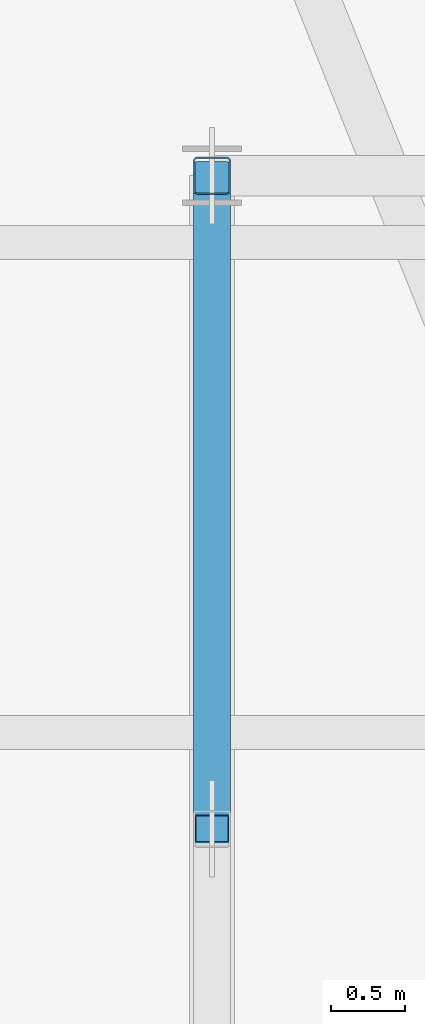
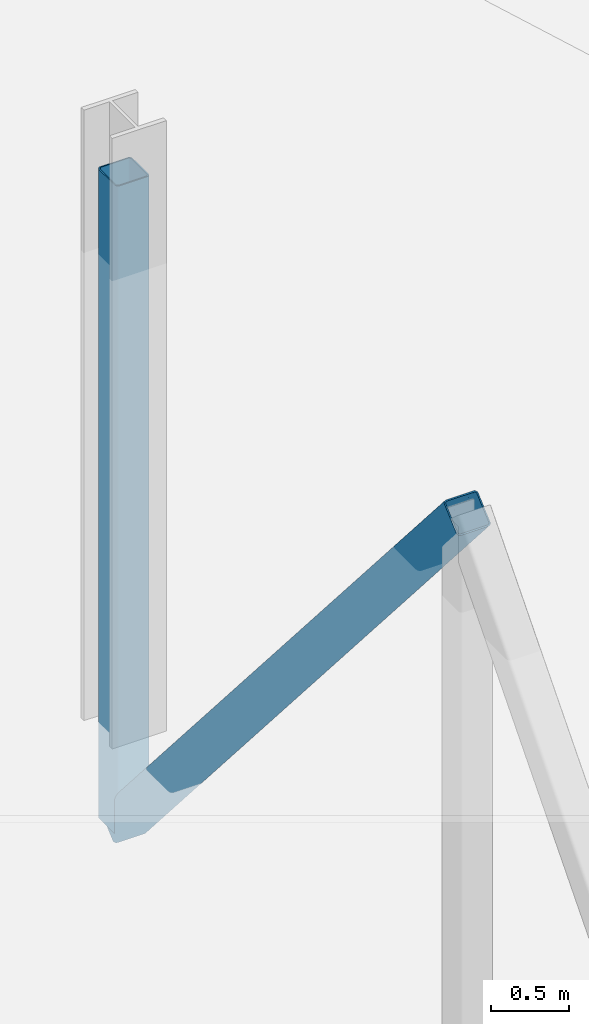
# One storey, part 56 of 114: 2 members.
"""IFC4 building model written with IfcOpenShell, lengths in metres."""

from ifc_helpers import new_model, si_unit, direction, frame, origin, origin_2d, place, context, subcontext, project, spatial, hollow_rectangle, extrude, material, material_profile, profile_set, type_object, element, save


model = new_model("IFC4")

# Units and contexts
model_context = context("Model", 3, precision=1e-05, world=origin(), true_north=direction((0.0, 1.0)))
body_context = subcontext(model_context, "Body", "Model", "MODEL_VIEW")
ifc_project = project(units=[si_unit("LENGTHUNIT", "METRE"), si_unit("AREAUNIT", "SQUARE_METRE"), si_unit("VOLUMEUNIT", "CUBIC_METRE"), si_unit("PLANEANGLEUNIT", "RADIAN"), si_unit("MASSUNIT", "GRAM", prefix="KILO")], contexts=[model_context])

# Site, building, storey
site_placement = place(None, origin())
site = spatial("IfcSite", under=ifc_project, at=site_placement, CompositionType="ELEMENT")
building_placement = place(site_placement, origin())
building = spatial("IfcBuilding", under=site, at=building_placement, Name="Tameran Prism Museum", CompositionType="ELEMENT")
storey_placement = place(building_placement, frame((0.0, 0.0, 10.199951171875)))
storey = spatial("IfcBuildingStorey", under=building, at=storey_placement, Name="L02", CompositionType="ELEMENT", Elevation=10.199951171875)

# Members
ifc_material = material(Name="Steel Grade C450L0 (450 MPa)", Category="steel")
ifc_material_profile = material_profile(ifc_material, hollow_rectangle(XDim=0.25, YDim=0.25, WallThickness=0.010009765625, InnerFilletRadius=0.014892578125, OuterFilletRadius=0.02490234375, at=origin_2d()))
ifc_profile_set = profile_set([ifc_material_profile])
member_type = type_object("IfcMemberType", Name="MM-BR-SHS250", PredefinedType="BRACE", material=ifc_profile_set)
member_1_placement = place(storey_placement, frame((131.10009765625, 30.699951171875, -0.719970703125), z_axis=(0.0, -0.655427459392, 0.755258131684), x_axis=(1.0, 0.0, 0.0)))
element("IfcMember", 1, at=member_1_placement, inside=storey, type_object=member_type, Name="Transfer Truss Web TTW-002", PredefinedType="BRACE", context=body_context, shape_type="SweptSolid", body=[
    extrude(hollow_rectangle(XDim=0.25, YDim=0.25, WallThickness=0.010009765625, InnerFilletRadius=0.014892578125, OuterFilletRadius=0.02490234375, at=origin_2d()), origin(), (0.0, 0.0, 1.0), 6.713134765625),
])
member_2_placement = place(storey_placement, frame((131.10009765625, 30.699951171875, -0.719970703125), z_axis=(0.0, 0.0, 1.0), x_axis=(1.0, 0.0, 0.0)))
element("IfcMember", 2, at=member_2_placement, inside=storey, type_object=member_type, Name="Transfer Truss Post TTV-007", PredefinedType="BRACE", context=body_context, shape_type="SweptSolid", body=[
    extrude(hollow_rectangle(XDim=0.25, YDim=0.25, WallThickness=0.010009765625, InnerFilletRadius=0.014892578125, OuterFilletRadius=0.02490234375, at=origin_2d()), origin(), (0.0, 0.0, 1.0), 5.070068359375),
])

save(model, "model.ifc")
